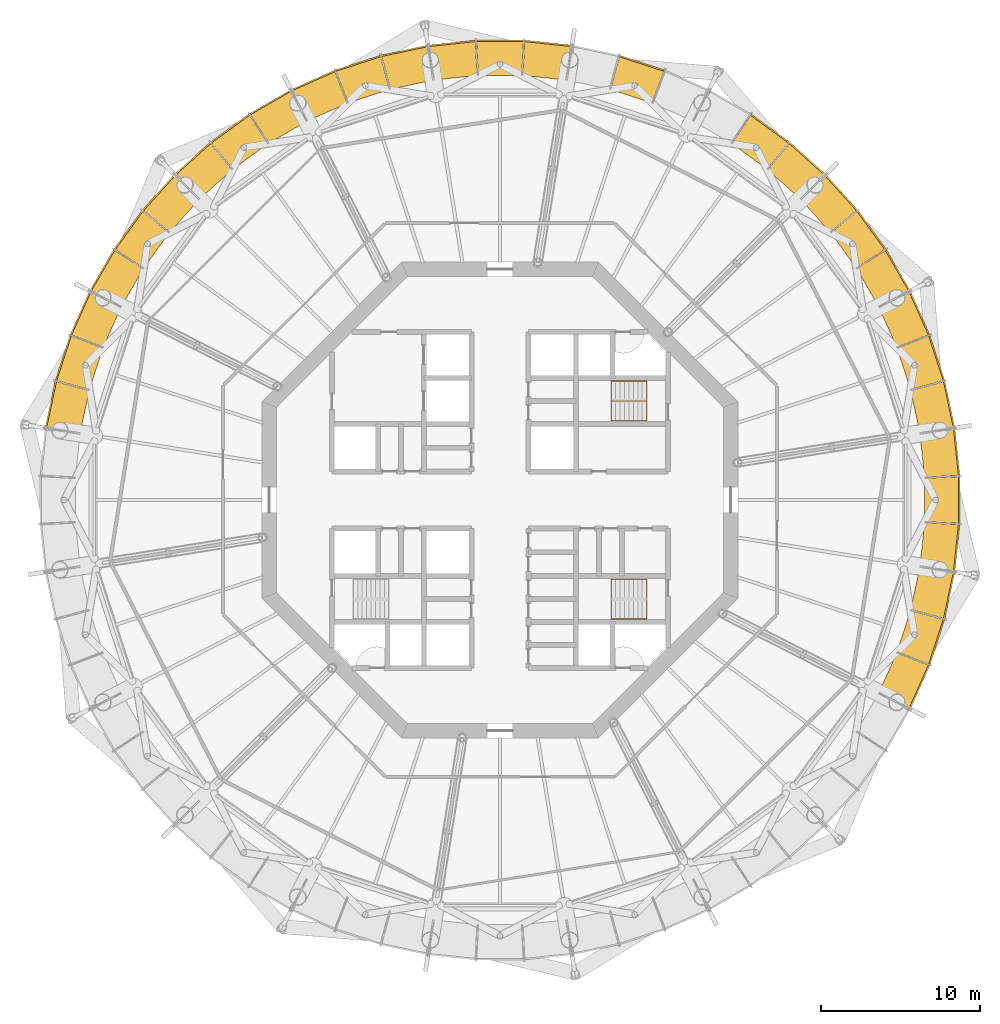
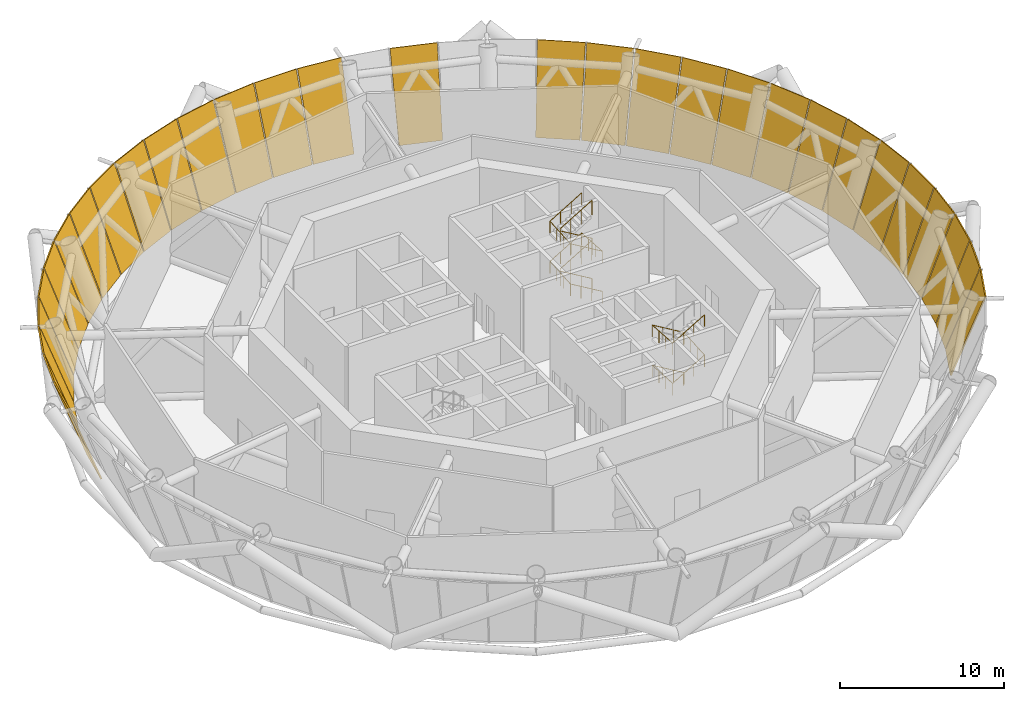
# One storey, part 14 of 15: 30 shading devices, 3 railings.
"""IFC4 building model written with IfcOpenShell, lengths in metres."""

from ifc_helpers import new_model, si_unit, direction, frame, origin, origin_2d, place, context, subcontext, project, spatial, polyline, circle, outline, extrude, material, layer, layer_set, type_object, element, save


model = new_model("IFC4")

# Units and contexts
model_context = context("Model", 3, precision=1e-05, world=origin(), true_north=direction((0.0, 1.0)))
body_context = subcontext(model_context, "Body", "Model", "MODEL_VIEW")
ifc_project = project(units=[si_unit("LENGTHUNIT", "METRE"), si_unit("AREAUNIT", "SQUARE_METRE"), si_unit("VOLUMEUNIT", "CUBIC_METRE"), si_unit("PLANEANGLEUNIT", "RADIAN"), si_unit("MASSUNIT", "GRAM", prefix="KILO")], contexts=[model_context])

# Site, building, storey
site_placement = place(None, origin())
site = spatial("IfcSite", under=ifc_project, at=site_placement, CompositionType="ELEMENT")
building_placement = place(site_placement, origin())
building = spatial("IfcBuilding", under=site, at=building_placement, Name="Entoto Ring Tower", CompositionType="ELEMENT")
storey_placement = place(building_placement, frame((0.0, 0.0, 268.0)))
storey = spatial("IfcBuildingStorey", under=building, at=storey_placement, Name="L61", CompositionType="ELEMENT", Elevation=268.0)

# Shading devices
ifc_material_1 = material(Name="Anodised aluminium", Category="aluminium")
ifc_layer = layer(ifc_material_1, 0.10009765625)
ifc_layer_set = layer_set([ifc_layer], Name="Anodised aluminium")
shading_device_type = type_object("IfcShadingDeviceType", Name="Louvre bank 100 mm anodised aluminium", PredefinedType="JALOUSIE", material=ifc_layer_set)
shading_device_1_placement = place(storey_placement, frame((116.47412109375, 84.233642578125, 0.034423828125), z_axis=(-0.91836744774, -0.195166206795, 0.344254822271), x_axis=(-0.207869149173, 0.978156642237, 8.312235e-06)))
element("IfcShadingDevice", 1, at=shading_device_1_placement, inside=storey, type_object=shading_device_type, Name="LOUVRE L61-00", PredefinedType="JALOUSIE", context=body_context, shape_type="SweptSolid", body=[
    extrude(outline(polyline([(0.0, 0.0), (2.7262864498019637, -2.7755575615628914e-17), (2.8382654711785817, -6.194267051789336), (-0.11168586117628382, -6.1943173057190215), (0.0, 0.0)])), origin(), (0.0, 0.0, -1.0), 0.10009765625),
])
shading_device_2_placement = place(storey_placement, frame((115.88671875, 86.977783203125, 0.034423828125), z_axis=(-0.892930297624, -0.290132690654, 0.344236118674), x_axis=(-0.309019002781, 0.951055863722, -9.7087e-08)))
element("IfcShadingDevice", 2, at=shading_device_2_placement, inside=storey, type_object=shading_device_type, Name="LOUVRE L61-01", PredefinedType="JALOUSIE", context=body_context, shape_type="SweptSolid", body=[
    extrude(outline(polyline([(0.0, 0.0), (2.7264621355444003, 0.0), (2.838148318768676, -6.194247229024674), (-0.11190318081112197, -6.194246642033363), (0.0, 0.0)])), origin(), (0.0, 0.0, -1.0), 0.10009765625),
])
shading_device_3_placement = place(storey_placement, frame((115.015380859375, 89.645263671875, 0.034423828125), z_axis=(-0.857696342398, -0.381884854523, 0.344268706279), x_axis=(-0.406745511436, 0.913541509085, 1.0250282e-05)))
element("IfcShadingDevice", 3, at=shading_device_3_placement, inside=storey, type_object=shading_device_type, Name="LOUVRE L61-02", PredefinedType="JALOUSIE", context=body_context, shape_type="SweptSolid", body=[
    extrude(outline(polyline([(0.0, 0.0), (2.7264132296457895, 0.0), (2.83826619203065, -6.194294780782693), (-0.11164234458799736, -6.1943567529712755), (0.0, 0.0)])), origin(), (0.0, 0.0, -1.0), 0.10009765625),
])
shading_device_4_placement = place(storey_placement, frame((113.8701171875, 92.207275390625, 0.034423828125), z_axis=(-0.813120169078, -0.469393566019, 0.344245945246), x_axis=(-0.49994762762, 0.866055638823, 1.0007896e-05)))
element("IfcShadingDevice", 4, at=shading_device_4_placement, inside=storey, type_object=shading_device_type, Name="LOUVRE L61-03", PredefinedType="JALOUSIE", context=body_context, shape_type="SweptSolid", body=[
    extrude(outline(polyline([(0.0, 0.0), (2.726488706957456, 5.551115123125783e-17), (2.8383406496328174, -6.194240451062997), (-0.11151038139634561, -6.194300957458687), (0.0, 0.0)])), origin(), (0.0, 0.0, -1.0), 0.10009765625),
])
shading_device_5_placement = place(storey_placement, frame((112.46337890625, 94.635498046875, 0.034423828125), z_axis=(-0.759573663797, -0.551851870784, 0.344248982536), x_axis=(-0.587776512441, 0.809023344165, 4.319365e-06)))
element("IfcShadingDevice", 5, at=shading_device_5_placement, inside=storey, type_object=shading_device_type, Name="LOUVRE L61-04", PredefinedType="JALOUSIE", context=body_context, shape_type="SweptSolid", body=[
    extrude(outline(polyline([(0.0, 0.0), (2.7264870464341207, -5.551115123125783e-17), (2.8382669348141474, -6.19426499549144), (-0.1115846229420959, -6.194291109816486), (0.0, 0.0)])), origin(), (0.0, 0.0, -1.0), 0.10009765625),
])
shading_device_6_placement = place(storey_placement, frame((110.810546875, 96.903564453125, 0.034423828125), z_axis=(-0.697706660971, -0.628250968363, 0.344247201859), x_axis=(-0.669150957372, 0.743126500831, -3.301086e-06)))
element("IfcShadingDevice", 6, at=shading_device_6_placement, inside=storey, type_object=shading_device_type, Name="LOUVRE L61-05", PredefinedType="JALOUSIE", context=body_context, shape_type="SweptSolid", body=[
    extrude(outline(polyline([(0.0, 0.0), (2.7265068200285487, 5.551115123125783e-17), (2.8380099876635247, -6.19428372394875), (-0.11184800582125118, -6.194263765928713), (0.0, 0.0)])), origin(), (0.0, 0.0, -1.0), 0.10009765625),
])
shading_device_7_placement = place(storey_placement, frame((108.9296875, 98.986083984375, 0.034423828125), z_axis=(-0.628250968363, -0.697706660971, 0.344247201859), x_axis=(-0.743126500831, 0.669150957372, 3.301086e-06)))
element("IfcShadingDevice", 7, at=shading_device_7_placement, inside=storey, type_object=shading_device_type, Name="LOUVRE L61-06", PredefinedType="JALOUSIE", context=body_context, shape_type="SweptSolid", body=[
    extrude(outline(polyline([(0.0, 0.0), (2.7265068200285487, -5.551115123125783e-17), (2.8383548258497995, -6.194263765928713), (-0.11150316763497561, -6.19428372394875), (0.0, 0.0)])), origin(), (0.0, 0.0, -1.0), 0.10009765625),
])
shading_device_8_placement = place(storey_placement, frame((106.84130859375, 100.86083984375, 0.034423828125), z_axis=(-0.551851870784, -0.759573663797, 0.344248982536), x_axis=(-0.809023344165, 0.587776512441, -4.319365e-06)))
element("IfcShadingDevice", 8, at=shading_device_8_placement, inside=storey, type_object=shading_device_type, Name="LOUVRE L61-07", PredefinedType="JALOUSIE", context=body_context, shape_type="SweptSolid", body=[
    extrude(outline(polyline([(0.0, 0.0), (2.7264870464341207, 5.551115123125783e-17), (2.838071669376217, -6.194291109816486), (-0.11177988838002609, -6.19426499549144), (0.0, 0.0)])), origin(), (0.0, 0.0, -1.0), 0.10009765625),
])
shading_device_9_placement = place(storey_placement, frame((99.57080078125, 105.044189453125, 0.034423828125), z_axis=(-0.290132690654, -0.892930297624, 0.344236118674), x_axis=(-0.951055863722, 0.309019002781, 9.7087e-08)))
element("IfcShadingDevice", 9, at=shading_device_9_placement, inside=storey, type_object=shading_device_type, Name="LOUVRE L61-10", PredefinedType="JALOUSIE", context=body_context, shape_type="SweptSolid", body=[
    extrude(outline(polyline([(0.0, 0.0), (2.7264621355444003, 0.0), (2.8383653163555222, -6.194246642033363), (-0.11168618322427579, -6.194247229024674), (0.0, 0.0)])), origin(), (0.0, 0.0, -1.0), 0.10009765625),
])
shading_device_10_placement = place(storey_placement, frame((94.154541015625, 106.48681640625, 0.034423828125), z_axis=(-0.098131191908, -0.933740501772, 0.344236756501), x_axis=(-0.994523080221, 0.104517189405, -5.235825e-06)))
element("IfcShadingDevice", 10, at=shading_device_10_placement, inside=storey, type_object=shading_device_type, Name="LOUVRE L61-12", PredefinedType="JALOUSIE", context=body_context, shape_type="SweptSolid", body=[
    extrude(outline(polyline([(0.0, 0.0), (2.726353732657616, 0.0), (2.8379838202858227, -6.194264304946076), (-0.11177070660607603, -6.19423265125129), (0.0, 0.0)])), origin(), (0.0, 0.0, -1.0), 0.10009765625),
])
shading_device_11_placement = place(storey_placement, frame((91.36328125, 106.77587890625, 0.034423828125), z_axis=(0.0, -0.938880986804, 0.344241910027), x_axis=(-1.0, 0.0, 0.0)))
element("IfcShadingDevice", 11, at=shading_device_11_placement, inside=storey, type_object=shading_device_type, Name="LOUVRE L61-13", PredefinedType="JALOUSIE", context=body_context, shape_type="SweptSolid", body=[
    extrude(outline(polyline([(0.0, 0.0), (2.7265625, 0.0), (2.838134765625, -6.1942609445361505), (-0.111572265625, -6.1942609445361505), (0.0, 0.0)])), origin(), (0.0, 0.0, -1.0), 0.10009765625),
])
shading_device_12_placement = place(storey_placement, frame((88.556884765625, 106.771728515625, 0.034423828125), z_axis=(0.098131191908, -0.933740501772, 0.344236756501), x_axis=(-0.994523080221, -0.104517189405, 5.235825e-06)))
element("IfcShadingDevice", 12, at=shading_device_12_placement, inside=storey, type_object=shading_device_type, Name="LOUVRE L61-14", PredefinedType="JALOUSIE", context=body_context, shape_type="SweptSolid", body=[
    extrude(outline(polyline([(0.0, 0.0), (2.726353732657616, 0.0), (2.8381244392636917, -6.19423265125129), (-0.11163008762820717, -6.194264304946076), (0.0, 0.0)])), origin(), (0.0, 0.0, -1.0), 0.10009765625),
])
shading_device_13_placement = place(storey_placement, frame((85.766357421875, 106.47412109375, 0.034423828125), z_axis=(0.195166206795, -0.91836744774, 0.344254822271), x_axis=(-0.978156642237, -0.207869149173, 8.312235e-06)))
element("IfcShadingDevice", 13, at=shading_device_13_placement, inside=storey, type_object=shading_device_type, Name="LOUVRE L61-15", PredefinedType="JALOUSIE", context=body_context, shape_type="SweptSolid", body=[
    extrude(outline(polyline([(0.0, 0.0), (2.7262864498019637, -2.7755575615628914e-17), (2.8382654711785817, -6.194267051789336), (-0.11168586117628382, -6.1943173057190215), (0.0, 0.0)])), origin(), (0.0, 0.0, -1.0), 0.10009765625),
])
shading_device_14_placement = place(storey_placement, frame((83.022216796875, 105.88671875, 0.034423828125), z_axis=(0.290132690654, -0.892930297624, 0.344236118674), x_axis=(-0.951055863722, -0.309019002781, -9.7087e-08)))
element("IfcShadingDevice", 14, at=shading_device_14_placement, inside=storey, type_object=shading_device_type, Name="LOUVRE L61-16", PredefinedType="JALOUSIE", context=body_context, shape_type="SweptSolid", body=[
    extrude(outline(polyline([(0.0, 0.0), (2.7264621355444003, 0.0), (2.838148318768676, -6.194247229024674), (-0.11190318081112197, -6.194246642033363), (0.0, 0.0)])), origin(), (0.0, 0.0, -1.0), 0.10009765625),
])
shading_device_15_placement = place(storey_placement, frame((80.354736328125, 105.015380859375, 0.034423828125), z_axis=(0.381884854523, -0.857696342398, 0.344268706279), x_axis=(-0.913541509085, -0.406745511436, 1.0250282e-05)))
element("IfcShadingDevice", 15, at=shading_device_15_placement, inside=storey, type_object=shading_device_type, Name="LOUVRE L61-17", PredefinedType="JALOUSIE", context=body_context, shape_type="SweptSolid", body=[
    extrude(outline(polyline([(0.0, 0.0), (2.7264132296457895, 0.0), (2.83826619203065, -6.194294780782693), (-0.11164234458799736, -6.1943567529712755), (0.0, 0.0)])), origin(), (0.0, 0.0, -1.0), 0.10009765625),
])
shading_device_16_placement = place(storey_placement, frame((77.792724609375, 103.8701171875, 0.034423828125), z_axis=(0.469393566019, -0.813120169078, 0.344245945246), x_axis=(-0.866055638823, -0.49994762762, 1.0007896e-05)))
element("IfcShadingDevice", 16, at=shading_device_16_placement, inside=storey, type_object=shading_device_type, Name="LOUVRE L61-18", PredefinedType="JALOUSIE", context=body_context, shape_type="SweptSolid", body=[
    extrude(outline(polyline([(0.0, 0.0), (2.726488706957456, 5.551115123125783e-17), (2.8383406496328174, -6.194240451062997), (-0.11151038139634561, -6.194300957458687), (0.0, 0.0)])), origin(), (0.0, 0.0, -1.0), 0.10009765625),
])
shading_device_17_placement = place(storey_placement, frame((75.364501953125, 102.46337890625, 0.034423828125), z_axis=(0.551851870784, -0.759573663797, 0.344248982536), x_axis=(-0.809023344165, -0.587776512441, 4.319365e-06)))
element("IfcShadingDevice", 17, at=shading_device_17_placement, inside=storey, type_object=shading_device_type, Name="LOUVRE L61-19", PredefinedType="JALOUSIE", context=body_context, shape_type="SweptSolid", body=[
    extrude(outline(polyline([(0.0, 0.0), (2.7264870464341207, -5.551115123125783e-17), (2.8382669348141474, -6.19426499549144), (-0.1115846229420959, -6.194291109816486), (0.0, 0.0)])), origin(), (0.0, 0.0, -1.0), 0.10009765625),
])
shading_device_18_placement = place(storey_placement, frame((73.096435546875, 100.810546875, 0.034423828125), z_axis=(0.628250968363, -0.697706660971, 0.344247201859), x_axis=(-0.743126500831, -0.669150957372, -3.301086e-06)))
element("IfcShadingDevice", 18, at=shading_device_18_placement, inside=storey, type_object=shading_device_type, Name="LOUVRE L61-20", PredefinedType="JALOUSIE", context=body_context, shape_type="SweptSolid", body=[
    extrude(outline(polyline([(0.0, 0.0), (2.7265068200285487, 5.551115123125783e-17), (2.8380099876635247, -6.19428372394875), (-0.11184800582125118, -6.194263765928713), (0.0, 0.0)])), origin(), (0.0, 0.0, -1.0), 0.10009765625),
])
shading_device_19_placement = place(storey_placement, frame((71.013916015625, 98.9296875, 0.034423828125), z_axis=(0.697706660971, -0.628250968363, 0.344247201859), x_axis=(-0.669150957372, -0.743126500831, 3.301086e-06)))
element("IfcShadingDevice", 19, at=shading_device_19_placement, inside=storey, type_object=shading_device_type, Name="LOUVRE L61-21", PredefinedType="JALOUSIE", context=body_context, shape_type="SweptSolid", body=[
    extrude(outline(polyline([(0.0, 0.0), (2.7265068200285487, -5.551115123125783e-17), (2.8383548258497995, -6.194263765928713), (-0.11150316763497561, -6.19428372394875), (0.0, 0.0)])), origin(), (0.0, 0.0, -1.0), 0.10009765625),
])
shading_device_20_placement = place(storey_placement, frame((69.13916015625, 96.84130859375, 0.034423828125), z_axis=(0.759573663797, -0.551851870784, 0.344248982536), x_axis=(-0.587776512441, -0.809023344165, -4.319365e-06)))
element("IfcShadingDevice", 20, at=shading_device_20_placement, inside=storey, type_object=shading_device_type, Name="LOUVRE L61-22", PredefinedType="JALOUSIE", context=body_context, shape_type="SweptSolid", body=[
    extrude(outline(polyline([(0.0, 0.0), (2.7264870464341207, 5.551115123125783e-17), (2.838071669376217, -6.194291109816486), (-0.11177988838002609, -6.19426499549144), (0.0, 0.0)])), origin(), (0.0, 0.0, -1.0), 0.10009765625),
])
shading_device_21_placement = place(storey_placement, frame((67.492919921875, 94.568603515625, 0.034423828125), z_axis=(0.813120169078, -0.469393566019, 0.344245945246), x_axis=(-0.49994762762, -0.866055638823, -1.0007896e-05)))
element("IfcShadingDevice", 21, at=shading_device_21_placement, inside=storey, type_object=shading_device_type, Name="LOUVRE L61-23", PredefinedType="JALOUSIE", context=body_context, shape_type="SweptSolid", body=[
    extrude(outline(polyline([(0.0, 0.0), (2.726488706957456, -5.551115123125783e-17), (2.837999088353802, -6.194300957458687), (-0.11185194267536169, -6.194240451062997), (0.0, 0.0)])), origin(), (0.0, 0.0, -1.0), 0.10009765625),
])
shading_device_22_placement = place(storey_placement, frame((66.093505859375, 92.135986328125, 0.034423828125), z_axis=(0.857696342398, -0.381884854523, 0.344268706279), x_axis=(-0.406745511436, -0.913541509085, -1.0250282e-05)))
element("IfcShadingDevice", 22, at=shading_device_22_placement, inside=storey, type_object=shading_device_type, Name="LOUVRE L61-24", PredefinedType="JALOUSIE", context=body_context, shape_type="SweptSolid", body=[
    extrude(outline(polyline([(0.0, 0.0), (2.7264132296457895, 0.0), (2.8380555742337865, -6.1943567529712755), (-0.11185296238486021, -6.194294780782693), (0.0, 0.0)])), origin(), (0.0, 0.0, -1.0), 0.10009765625),
])
shading_device_23_placement = place(storey_placement, frame((64.955810546875, 89.57080078125, 0.034423828125), z_axis=(0.892930297624, -0.290132690654, 0.344236118674), x_axis=(-0.309019002781, -0.951055863722, 9.7087e-08)))
element("IfcShadingDevice", 23, at=shading_device_23_placement, inside=storey, type_object=shading_device_type, Name="LOUVRE L61-25", PredefinedType="JALOUSIE", context=body_context, shape_type="SweptSolid", body=[
    extrude(outline(polyline([(0.0, 0.0), (2.7264621355444003, 0.0), (2.8383653163555222, -6.194246642033363), (-0.11168618322427579, -6.194247229024674), (0.0, 0.0)])), origin(), (0.0, 0.0, -1.0), 0.10009765625),
])
shading_device_24_placement = place(storey_placement, frame((64.092529296875, 86.900390625, 0.034423828125), z_axis=(0.91836744774, -0.195166206795, 0.344254822271), x_axis=(-0.207869149173, -0.978156642237, -8.312235e-06)))
element("IfcShadingDevice", 24, at=shading_device_24_placement, inside=storey, type_object=shading_device_type, Name="LOUVRE L61-26", PredefinedType="JALOUSIE", context=body_context, shape_type="SweptSolid", body=[
    extrude(outline(polyline([(0.0, 0.0), (2.7262864498019637, 2.7755575615628914e-17), (2.8379723109782473, -6.1943173057190215), (-0.11197902137661825, -6.194267051789336), (0.0, 0.0)])), origin(), (0.0, 0.0, -1.0), 0.10009765625),
])
shading_device_25_placement = place(storey_placement, frame((113.906494140625, 67.864013671875, 0.034423828125), z_axis=(-0.857696342398, 0.381884854523, 0.344268706279), x_axis=(0.406745511436, 0.913541509085, -1.0250282e-05)))
element("IfcShadingDevice", 25, at=shading_device_25_placement, inside=storey, type_object=shading_device_type, Name="LOUVRE L61-54", PredefinedType="JALOUSIE", context=body_context, shape_type="SweptSolid", body=[
    extrude(outline(polyline([(0.0, 0.0), (2.7264132296457895, 0.0), (2.8380555742337865, -6.1943567529712755), (-0.11185296238486021, -6.194294780782693), (0.0, 0.0)])), origin(), (0.0, 0.0, -1.0), 0.10009765625),
])
shading_device_26_placement = place(storey_placement, frame((115.044189453125, 70.42919921875, 0.034423828125), z_axis=(-0.892930297624, 0.290132690654, 0.344236118674), x_axis=(0.309019002781, 0.951055863722, 9.7087e-08)))
element("IfcShadingDevice", 26, at=shading_device_26_placement, inside=storey, type_object=shading_device_type, Name="LOUVRE L61-55", PredefinedType="JALOUSIE", context=body_context, shape_type="SweptSolid", body=[
    extrude(outline(polyline([(0.0, 0.0), (2.7264621355444003, 0.0), (2.8383653163555222, -6.194246642033363), (-0.11168618322427579, -6.194247229024674), (0.0, 0.0)])), origin(), (0.0, 0.0, -1.0), 0.10009765625),
])
shading_device_27_placement = place(storey_placement, frame((115.907470703125, 73.099609375, 0.034423828125), z_axis=(-0.91836744774, 0.195166206795, 0.344254822271), x_axis=(0.207869149173, 0.978156642237, -8.312235e-06)))
element("IfcShadingDevice", 27, at=shading_device_27_placement, inside=storey, type_object=shading_device_type, Name="LOUVRE L61-56", PredefinedType="JALOUSIE", context=body_context, shape_type="SweptSolid", body=[
    extrude(outline(polyline([(0.0, 0.0), (2.7262864498019637, 2.7755575615628914e-17), (2.8379723109782473, -6.1943173057190215), (-0.11197902137661825, -6.194267051789336), (0.0, 0.0)])), origin(), (0.0, 0.0, -1.0), 0.10009765625),
])
shading_device_28_placement = place(storey_placement, frame((116.48681640625, 75.845458984375, 0.034423828125), z_axis=(-0.933740501772, 0.098131191908, 0.344236756501), x_axis=(0.104517189405, 0.994523080221, -5.235825e-06)))
element("IfcShadingDevice", 28, at=shading_device_28_placement, inside=storey, type_object=shading_device_type, Name="LOUVRE L61-57", PredefinedType="JALOUSIE", context=body_context, shape_type="SweptSolid", body=[
    extrude(outline(polyline([(0.0, 0.0), (2.726353732657616, 0.0), (2.8379838202858227, -6.194264304946076), (-0.11177070660607603, -6.19423265125129), (0.0, 0.0)])), origin(), (0.0, 0.0, -1.0), 0.10009765625),
])
shading_device_29_placement = place(storey_placement, frame((116.77587890625, 78.63671875, 0.034423828125), z_axis=(-0.938880986804, 0.0, 0.344241910027), x_axis=(0.0, 1.0, 0.0)))
element("IfcShadingDevice", 29, at=shading_device_29_placement, inside=storey, type_object=shading_device_type, Name="LOUVRE L61-58", PredefinedType="JALOUSIE", context=body_context, shape_type="SweptSolid", body=[
    extrude(outline(polyline([(0.0, 0.0), (2.7265625, 0.0), (2.838134765625, -6.1942609445361505), (-0.111572265625, -6.1942609445361505), (0.0, 0.0)])), origin(), (0.0, 0.0, -1.0), 0.10009765625),
])
shading_device_30_placement = place(storey_placement, frame((116.771728515625, 81.443115234375, 0.034423828125), z_axis=(-0.933740501772, -0.098131191908, 0.344236756501), x_axis=(-0.104517189405, 0.994523080221, 5.235825e-06)))
element("IfcShadingDevice", 30, at=shading_device_30_placement, inside=storey, type_object=shading_device_type, Name="LOUVRE L61-59", PredefinedType="JALOUSIE", context=body_context, shape_type="SweptSolid", body=[
    extrude(outline(polyline([(0.0, 0.0), (2.726353732657616, 0.0), (2.8381244392636917, -6.19423265125129), (-0.11163008762820717, -6.194264304946076), (0.0, 0.0)])), origin(), (0.0, 0.0, -1.0), 0.10009765625),
])

# Railings
ifc_material_2 = material(Name="Steel S275", Category="steel")
railing_type_1 = type_object("IfcRailingType", Name="Stair guard 1100 mm steel", PredefinedType="GUARDRAIL", material=ifc_material_2)
railing_1_placement = place(storey_placement, frame((99.25, 86.25, 0.166748046875)))
element("IfcRailing", 31, at=railing_1_placement, inside=storey, type_object=railing_type_1, Name="Guard ST1", PredefinedType="GUARDRAIL", context=body_context, shape_type="SweptSolid", body=[
    extrude(circle(Radius=0.02392578125, at=origin_2d()), frame((0.0, 0.0, 1.076171875), z_axis=(-0.859305625298, 0.0, 0.511462454469), x_axis=(0.0, -1.0, 0.0)), (0.0, 0.0, 1.0), 2.606689453125),
    extrude(circle(Radius=0.02392578125, at=origin_2d()), frame((-2.239990234375, 0.0, 2.4091796875), z_axis=(0.0, 0.0, 1.0), x_axis=(1.0, 0.0, 0.0)), (0.0, 0.0, 1.0), 0.166748046875),
    extrude(circle(Radius=0.02392578125, at=origin_2d()), frame((-2.239990234375, 0.0, 2.576171875), z_axis=(0.859305625298, 0.0, 0.511462454469), x_axis=(0.0, 1.0, 0.0)), (0.0, 0.0, 1.0), 2.606689453125),
    extrude(circle(Radius=0.02392578125, at=origin_2d()), frame((0.0, 0.0, 3.9091796875), z_axis=(0.0, 0.0, 1.0), x_axis=(1.0, 0.0, 0.0)), (0.0, 0.0, 1.0), 0.166748046875),
    extrude(circle(Radius=0.02392578125, at=origin_2d()), frame((0.0, 0.0, 4.076171875), z_axis=(-0.859305625298, 0.0, 0.511462454469), x_axis=(0.0, -1.0, 0.0)), (0.0, 0.0, 1.0), 2.606689453125),
    extrude(circle(Radius=0.02392578125, at=origin_2d()), frame((-2.239990234375, 0.0, 5.4091796875), z_axis=(0.0, 0.0, 1.0), x_axis=(1.0, 0.0, 0.0)), (0.0, 0.0, 1.0), 0.166748046875),
    extrude(circle(Radius=0.02392578125, at=origin_2d()), frame((-2.239990234375, 0.0, 5.576171875), z_axis=(0.859305625298, 0.0, 0.511462454469), x_axis=(0.0, 1.0, 0.0)), (0.0, 0.0, 1.0), 2.606689453125),
    extrude(circle(Radius=0.02099609375, at=origin_2d()), origin(), (0.0, 0.0, 1.0), 1.052001953125),
    extrude(circle(Radius=0.02099609375, at=origin_2d()), frame((-0.74658203125, 0.0, 0.4443359375)), (0.0, 0.0, 1.0), 1.052001953125),
    extrude(circle(Radius=0.02099609375, at=origin_2d()), frame((-1.493408203125, 0.0, 0.888916015625)), (0.0, 0.0, 1.0), 1.052001953125),
    extrude(circle(Radius=0.02099609375, at=origin_2d()), frame((-2.239990234375, 0.0, 1.333251953125)), (0.0, 0.0, 1.0), 1.052001953125),
    extrude(circle(Radius=0.02099609375, at=origin_2d()), frame((-2.239990234375, 0.0, 1.5)), (0.0, 0.0, 1.0), 1.052001953125),
    extrude(circle(Radius=0.02099609375, at=origin_2d()), frame((-1.493408203125, 0.0, 1.9443359375)), (0.0, 0.0, 1.0), 1.052001953125),
    extrude(circle(Radius=0.02099609375, at=origin_2d()), frame((-0.74658203125, 0.0, 2.388916015625)), (0.0, 0.0, 1.0), 1.052001953125),
    extrude(circle(Radius=0.02099609375, at=origin_2d()), frame((0.0, 0.0, 2.833251953125)), (0.0, 0.0, 1.0), 1.052001953125),
    extrude(circle(Radius=0.02099609375, at=origin_2d()), frame((0.0, 0.0, 3.0)), (0.0, 0.0, 1.0), 1.052001953125),
    extrude(circle(Radius=0.02099609375, at=origin_2d()), frame((-0.74658203125, 0.0, 3.4443359375)), (0.0, 0.0, 1.0), 1.052001953125),
    extrude(circle(Radius=0.02099609375, at=origin_2d()), frame((-1.493408203125, 0.0, 3.888916015625)), (0.0, 0.0, 1.0), 1.052001953125),
    extrude(circle(Radius=0.02099609375, at=origin_2d()), frame((-2.239990234375, 0.0, 4.333251953125)), (0.0, 0.0, 1.0), 1.052001953125),
    extrude(circle(Radius=0.02099609375, at=origin_2d()), frame((-2.239990234375, 0.0, 4.5)), (0.0, 0.0, 1.0), 1.052001953125),
    extrude(circle(Radius=0.02099609375, at=origin_2d()), frame((-1.493408203125, 0.0, 4.9443359375)), (0.0, 0.0, 1.0), 1.052001953125),
    extrude(circle(Radius=0.02099609375, at=origin_2d()), frame((-0.74658203125, 0.0, 5.388916015625)), (0.0, 0.0, 1.0), 1.052001953125),
    extrude(circle(Radius=0.02099609375, at=origin_2d()), frame((0.0, 0.0, 5.833251953125)), (0.0, 0.0, 1.0), 1.052001953125),
])
ifc_material_3 = material(Name="Steel S275", Category="steel")
railing_type_2 = type_object("IfcRailingType", Name="Stair handrail 900 mm steel", PredefinedType="HANDRAIL", material=ifc_material_3)
railing_2_placement = place(storey_placement, frame((99.25, 85.0, 0.166748046875)))
element("IfcRailing", 32, at=railing_2_placement, inside=storey, type_object=railing_type_2, Name="Handrail ST1", PredefinedType="HANDRAIL", context=body_context, shape_type="SweptSolid", body=[
    extrude(circle(Radius=0.02392578125, at=origin_2d()), frame((0.0, 0.0, 0.8759765625), z_axis=(-0.859305625298, 0.0, 0.511462454469), x_axis=(0.0, -1.0, 0.0)), (0.0, 0.0, 1.0), 2.606689453125),
    extrude(circle(Radius=0.02392578125, at=origin_2d()), frame((-2.239990234375, 0.0, 2.208984375), z_axis=(0.0, 0.997783001586, 0.066551346688), x_axis=(-1.0, 0.0, 0.0)), (0.0, 0.0, 1.0), 2.505615234375),
    extrude(circle(Radius=0.02392578125, at=origin_2d()), frame((-2.239990234375, 2.5, 2.3759765625), z_axis=(0.859305625298, 0.0, 0.511462454469), x_axis=(0.0, 1.0, 0.0)), (0.0, 0.0, 1.0), 2.606689453125),
    extrude(circle(Radius=0.02392578125, at=origin_2d()), frame((0.0, 2.5, 3.708984375), z_axis=(0.0, -0.997783001586, 0.066551346688), x_axis=(1.0, 0.0, 0.0)), (0.0, 0.0, 1.0), 2.505615234375),
    extrude(circle(Radius=0.02392578125, at=origin_2d()), frame((0.0, 0.0, 3.8759765625), z_axis=(-0.859305625298, 0.0, 0.511462454469), x_axis=(0.0, -1.0, 0.0)), (0.0, 0.0, 1.0), 2.606689453125),
    extrude(circle(Radius=0.02392578125, at=origin_2d()), frame((-2.239990234375, 0.0, 5.208984375), z_axis=(0.0, 0.997783001586, 0.066551346688), x_axis=(-1.0, 0.0, 0.0)), (0.0, 0.0, 1.0), 2.505615234375),
    extrude(circle(Radius=0.02392578125, at=origin_2d()), frame((-2.239990234375, 2.5, 5.3759765625), z_axis=(0.859305625298, 0.0, 0.511462454469), x_axis=(0.0, 1.0, 0.0)), (0.0, 0.0, 1.0), 2.606689453125),
    extrude(circle(Radius=0.02099609375, at=origin_2d()), origin(), (0.0, 0.0, 1.0), 0.851806640625),
    extrude(circle(Radius=0.02099609375, at=origin_2d()), frame((-0.74658203125, 0.0, 0.4443359375)), (0.0, 0.0, 1.0), 0.851806640625),
    extrude(circle(Radius=0.02099609375, at=origin_2d()), frame((-1.493408203125, 0.0, 0.888916015625)), (0.0, 0.0, 1.0), 0.851806640625),
    extrude(circle(Radius=0.02099609375, at=origin_2d()), frame((-2.239990234375, 0.0, 1.333251953125)), (0.0, 0.0, 1.0), 0.851806640625),
    extrude(circle(Radius=0.02099609375, at=origin_2d()), frame((-2.239990234375, 0.833251953125, 1.388916015625)), (0.0, 0.0, 1.0), 0.851806640625),
    extrude(circle(Radius=0.02099609375, at=origin_2d()), frame((-2.239990234375, 1.666748046875, 1.4443359375)), (0.0, 0.0, 1.0), 0.851806640625),
    extrude(circle(Radius=0.02099609375, at=origin_2d()), frame((-2.239990234375, 2.5, 1.5)), (0.0, 0.0, 1.0), 0.851806640625),
    extrude(circle(Radius=0.02099609375, at=origin_2d()), frame((-1.493408203125, 2.5, 1.9443359375)), (0.0, 0.0, 1.0), 0.851806640625),
    extrude(circle(Radius=0.02099609375, at=origin_2d()), frame((-0.74658203125, 2.5, 2.388916015625)), (0.0, 0.0, 1.0), 0.851806640625),
    extrude(circle(Radius=0.02099609375, at=origin_2d()), frame((0.0, 2.5, 2.833251953125)), (0.0, 0.0, 1.0), 0.851806640625),
    extrude(circle(Radius=0.02099609375, at=origin_2d()), frame((0.0, 1.666748046875, 2.888916015625)), (0.0, 0.0, 1.0), 0.851806640625),
    extrude(circle(Radius=0.02099609375, at=origin_2d()), frame((0.0, 0.833251953125, 2.9443359375)), (0.0, 0.0, 1.0), 0.851806640625),
    extrude(circle(Radius=0.02099609375, at=origin_2d()), frame((0.0, 0.0, 3.0)), (0.0, 0.0, 1.0), 0.851806640625),
    extrude(circle(Radius=0.02099609375, at=origin_2d()), frame((-0.74658203125, 0.0, 3.4443359375)), (0.0, 0.0, 1.0), 0.851806640625),
    extrude(circle(Radius=0.02099609375, at=origin_2d()), frame((-1.493408203125, 0.0, 3.888916015625)), (0.0, 0.0, 1.0), 0.851806640625),
    extrude(circle(Radius=0.02099609375, at=origin_2d()), frame((-2.239990234375, 0.0, 4.333251953125)), (0.0, 0.0, 1.0), 0.851806640625),
    extrude(circle(Radius=0.02099609375, at=origin_2d()), frame((-2.239990234375, 0.833251953125, 4.388916015625)), (0.0, 0.0, 1.0), 0.851806640625),
    extrude(circle(Radius=0.02099609375, at=origin_2d()), frame((-2.239990234375, 1.666748046875, 4.4443359375)), (0.0, 0.0, 1.0), 0.851806640625),
    extrude(circle(Radius=0.02099609375, at=origin_2d()), frame((-2.239990234375, 2.5, 4.5)), (0.0, 0.0, 1.0), 0.851806640625),
    extrude(circle(Radius=0.02099609375, at=origin_2d()), frame((-1.493408203125, 2.5, 4.9443359375)), (0.0, 0.0, 1.0), 0.851806640625),
    extrude(circle(Radius=0.02099609375, at=origin_2d()), frame((-0.74658203125, 2.5, 5.388916015625)), (0.0, 0.0, 1.0), 0.851806640625),
    extrude(circle(Radius=0.02099609375, at=origin_2d()), frame((0.0, 2.5, 5.833251953125)), (0.0, 0.0, 1.0), 0.851806640625),
])
railing_3_placement = place(storey_placement, frame((99.25, 75.0, 0.166748046875)))
element("IfcRailing", 33, at=railing_3_placement, inside=storey, type_object=railing_type_2, Name="Handrail ST3", PredefinedType="HANDRAIL", context=body_context, shape_type="SweptSolid", body=[
    extrude(circle(Radius=0.02392578125, at=origin_2d()), frame((0.0, 0.0, 0.8759765625), z_axis=(-0.859305625298, 0.0, 0.511462454469), x_axis=(0.0, -1.0, 0.0)), (0.0, 0.0, 1.0), 2.606689453125),
    extrude(circle(Radius=0.02392578125, at=origin_2d()), frame((-2.239990234375, 0.0, 2.208984375), z_axis=(0.0, -0.997783001586, 0.066551346688), x_axis=(1.0, 0.0, 0.0)), (0.0, 0.0, 1.0), 2.505615234375),
    extrude(circle(Radius=0.02392578125, at=origin_2d()), frame((-2.239990234375, -2.5, 2.3759765625), z_axis=(0.859305625298, 0.0, 0.511462454469), x_axis=(0.0, 1.0, 0.0)), (0.0, 0.0, 1.0), 2.606689453125),
    extrude(circle(Radius=0.02392578125, at=origin_2d()), frame((0.0, -2.5, 3.708984375), z_axis=(0.0, 0.997783001586, 0.066551346688), x_axis=(-1.0, 0.0, 0.0)), (0.0, 0.0, 1.0), 2.505615234375),
    extrude(circle(Radius=0.02392578125, at=origin_2d()), frame((0.0, 0.0, 3.8759765625), z_axis=(-0.859305625298, 0.0, 0.511462454469), x_axis=(0.0, -1.0, 0.0)), (0.0, 0.0, 1.0), 2.606689453125),
    extrude(circle(Radius=0.02392578125, at=origin_2d()), frame((-2.239990234375, 0.0, 5.208984375), z_axis=(0.0, -0.997783001586, 0.066551346688), x_axis=(1.0, 0.0, 0.0)), (0.0, 0.0, 1.0), 2.505615234375),
    extrude(circle(Radius=0.02392578125, at=origin_2d()), frame((-2.239990234375, -2.5, 5.3759765625), z_axis=(0.859305625298, 0.0, 0.511462454469), x_axis=(0.0, 1.0, 0.0)), (0.0, 0.0, 1.0), 2.606689453125),
    extrude(circle(Radius=0.02099609375, at=origin_2d()), origin(), (0.0, 0.0, 1.0), 0.851806640625),
    extrude(circle(Radius=0.02099609375, at=origin_2d()), frame((-0.74658203125, 0.0, 0.4443359375)), (0.0, 0.0, 1.0), 0.851806640625),
    extrude(circle(Radius=0.02099609375, at=origin_2d()), frame((-1.493408203125, 0.0, 0.888916015625)), (0.0, 0.0, 1.0), 0.851806640625),
    extrude(circle(Radius=0.02099609375, at=origin_2d()), frame((-2.239990234375, 0.0, 1.333251953125)), (0.0, 0.0, 1.0), 0.851806640625),
    extrude(circle(Radius=0.02099609375, at=origin_2d()), frame((-2.239990234375, -0.833251953125, 1.388916015625)), (0.0, 0.0, 1.0), 0.851806640625),
    extrude(circle(Radius=0.02099609375, at=origin_2d()), frame((-2.239990234375, -1.666748046875, 1.4443359375)), (0.0, 0.0, 1.0), 0.851806640625),
    extrude(circle(Radius=0.02099609375, at=origin_2d()), frame((-2.239990234375, -2.5, 1.5)), (0.0, 0.0, 1.0), 0.851806640625),
    extrude(circle(Radius=0.02099609375, at=origin_2d()), frame((-1.493408203125, -2.5, 1.9443359375)), (0.0, 0.0, 1.0), 0.851806640625),
    extrude(circle(Radius=0.02099609375, at=origin_2d()), frame((-0.74658203125, -2.5, 2.388916015625)), (0.0, 0.0, 1.0), 0.851806640625),
    extrude(circle(Radius=0.02099609375, at=origin_2d()), frame((0.0, -2.5, 2.833251953125)), (0.0, 0.0, 1.0), 0.851806640625),
    extrude(circle(Radius=0.02099609375, at=origin_2d()), frame((0.0, -1.666748046875, 2.888916015625)), (0.0, 0.0, 1.0), 0.851806640625),
    extrude(circle(Radius=0.02099609375, at=origin_2d()), frame((0.0, -0.833251953125, 2.9443359375)), (0.0, 0.0, 1.0), 0.851806640625),
    extrude(circle(Radius=0.02099609375, at=origin_2d()), frame((0.0, 0.0, 3.0)), (0.0, 0.0, 1.0), 0.851806640625),
    extrude(circle(Radius=0.02099609375, at=origin_2d()), frame((-0.74658203125, 0.0, 3.4443359375)), (0.0, 0.0, 1.0), 0.851806640625),
    extrude(circle(Radius=0.02099609375, at=origin_2d()), frame((-1.493408203125, 0.0, 3.888916015625)), (0.0, 0.0, 1.0), 0.851806640625),
    extrude(circle(Radius=0.02099609375, at=origin_2d()), frame((-2.239990234375, 0.0, 4.333251953125)), (0.0, 0.0, 1.0), 0.851806640625),
    extrude(circle(Radius=0.02099609375, at=origin_2d()), frame((-2.239990234375, -0.833251953125, 4.388916015625)), (0.0, 0.0, 1.0), 0.851806640625),
    extrude(circle(Radius=0.02099609375, at=origin_2d()), frame((-2.239990234375, -1.666748046875, 4.4443359375)), (0.0, 0.0, 1.0), 0.851806640625),
    extrude(circle(Radius=0.02099609375, at=origin_2d()), frame((-2.239990234375, -2.5, 4.5)), (0.0, 0.0, 1.0), 0.851806640625),
    extrude(circle(Radius=0.02099609375, at=origin_2d()), frame((-1.493408203125, -2.5, 4.9443359375)), (0.0, 0.0, 1.0), 0.851806640625),
    extrude(circle(Radius=0.02099609375, at=origin_2d()), frame((-0.74658203125, -2.5, 5.388916015625)), (0.0, 0.0, 1.0), 0.851806640625),
    extrude(circle(Radius=0.02099609375, at=origin_2d()), frame((0.0, -2.5, 5.833251953125)), (0.0, 0.0, 1.0), 0.851806640625),
])

save(model, "model.ifc")
